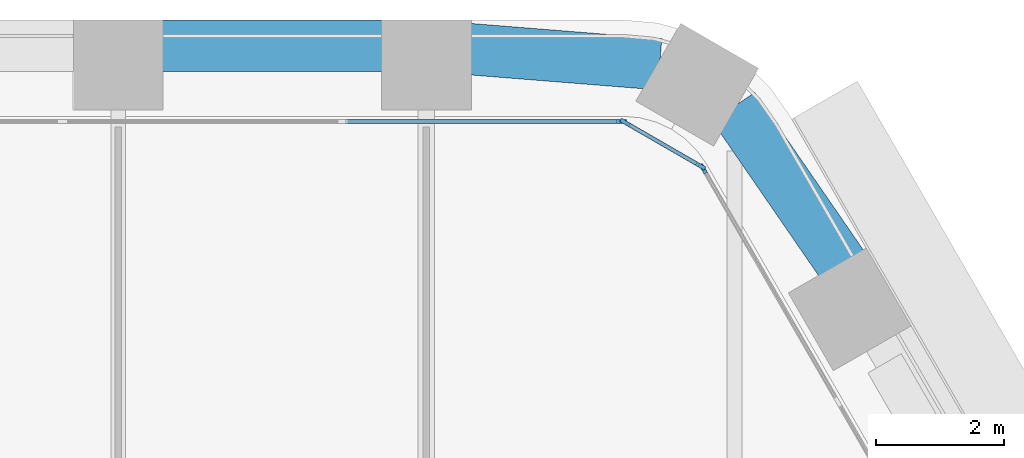
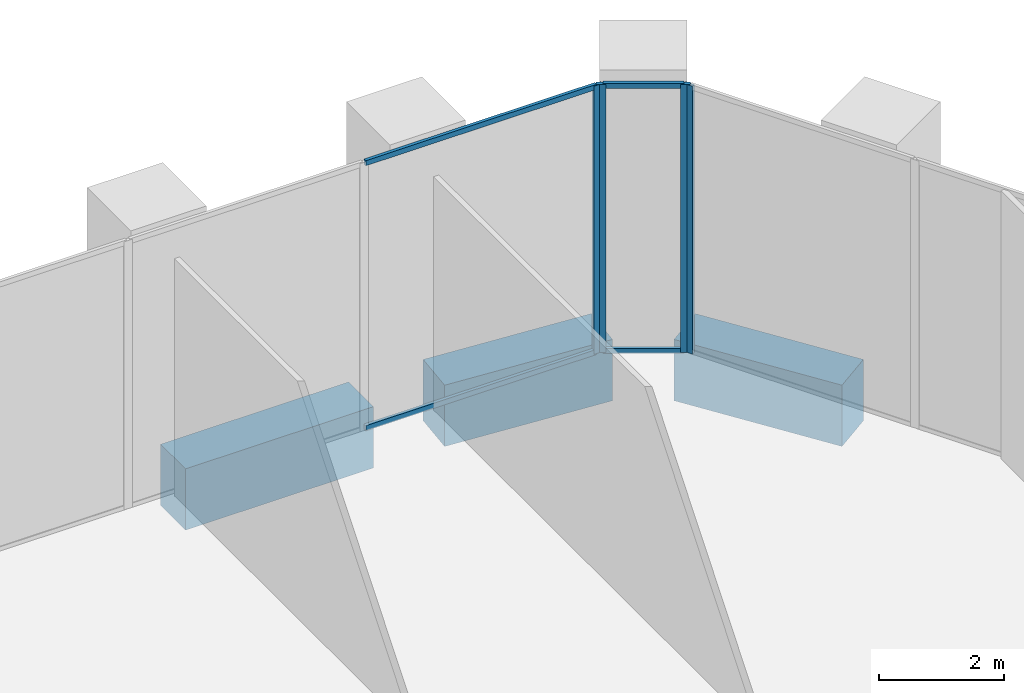
# One storey, part 14 of 27: 8 members, 3 beams, 3 elements without a shape of their own.
"""IFC4 building model written with IfcOpenShell, lengths in metres."""

from ifc_helpers import new_model, si_unit, direction, frame, origin, origin_2d, place, context, subcontext, project, spatial, rectangle, extrude, material, material_profile, profile_set, type_object, element, aggregate, save


model = new_model("IFC4")

# Units and contexts
model_context = context("Model", 3, precision=1e-05, world=origin(), true_north=direction((0.0, 1.0)))
body_context = subcontext(model_context, "Body", "Model", "MODEL_VIEW")
ifc_project = project(units=[si_unit("LENGTHUNIT", "METRE"), si_unit("AREAUNIT", "SQUARE_METRE"), si_unit("VOLUMEUNIT", "CUBIC_METRE"), si_unit("PLANEANGLEUNIT", "RADIAN"), si_unit("MASSUNIT", "GRAM", prefix="KILO")], contexts=[model_context])

# Site, building, storey
site_placement = place(None, origin())
site = spatial("IfcSite", under=ifc_project, at=site_placement, CompositionType="ELEMENT")
building_placement = place(site_placement, origin())
building = spatial("IfcBuilding", under=site, at=building_placement, Name="Kolab Exchange Tower", CompositionType="ELEMENT")
storey_placement = place(building_placement, frame((0.0, 0.0, 22.39990234375)))
storey = spatial("IfcBuildingStorey", under=building, at=storey_placement, Name="L04", CompositionType="ELEMENT", Elevation=22.39990234375)

# Beams
ifc_material_1 = material(Name="Concrete C80/95", Category="concrete")
ifc_material_profile_1 = material_profile(ifc_material_1, rectangle(XDim=0.800048828125, YDim=1.199951171875, at=origin_2d()), Name="RC800X1200")
ifc_profile_set_1 = profile_set([ifc_material_profile_1], Name="Concrete C80/95")
beam_type = type_object("IfcBeamType", Name="SPANDREL BEAM 800X1200 C80/95", PredefinedType="BEAM", material=ifc_profile_set_1)
beam_1_placement = place(storey_placement, frame((10.260009765625, 32.85546875, -0.849853515625), z_axis=(1.0, 0.0, 0.0), x_axis=(0.0, 1.0, 0.0)))
element("IfcBeam", 1, at=beam_1_placement, inside=storey, type_object=beam_type, Name="beam/L04/sp/F1-07", PredefinedType="BEAM", context=body_context, shape_type="SweptSolid", body=[
    extrude(rectangle(XDim=0.800048828125, YDim=1.199951171875, at=origin_2d()), origin(), (0.0, 0.0, 1.0), 3.47998046875),
])
beam_2_placement = place(storey_placement, frame((15.06005859375, 32.802734375, -0.849853515625), z_axis=(0.996833978278, -0.07951112973, 0.0), x_axis=(0.07951112973, 0.996833978278, 0.0)))
element("IfcBeam", 2, at=beam_2_placement, inside=storey, type_object=beam_type, Name="beam/L04/sp/F1-08", PredefinedType="BEAM", context=body_context, shape_type="SweptSolid", body=[
    extrude(rectangle(XDim=0.800048828125, YDim=1.199951171875, at=origin_2d()), origin(), (0.0, 0.0, 1.0), 2.984619140625),
])
beam_3_placement = place(storey_placement, frame((19.18505859375, 31.901611328125, -0.849853515625), z_axis=(0.567247290755, -0.823547516013, 0.0), x_axis=(0.823547516013, 0.567247290755, 0.0)))
element("IfcBeam", 3, at=beam_3_placement, inside=storey, type_object=beam_type, Name="beam/L04/sp/F2-01", PredefinedType="BEAM", context=body_context, shape_type="SweptSolid", body=[
    extrude(rectangle(XDim=0.800048828125, YDim=1.199951171875, at=origin_2d()), origin(), (0.0, 0.0, 1.0), 2.984375),
])

# Curtain wall, member
ifc_material_2 = material(Name="Aluminium EN AW-6063 T6", Category="aluminium")
curtain_wall_type = type_object("IfcCurtainWallType", Name="UNITISED LOW ZONE CURTAIN WALL", PredefinedType="NOTDEFINED", material=ifc_material_2)
curtain_wall_1_placement = place(storey_placement, origin())
curtain_wall_1 = element("IfcCurtainWall", 4, at=curtain_wall_1_placement, inside=storey, type_object=curtain_wall_type, Name="cw/L04/F1-2", PredefinedType="NOTDEFINED")
ifc_material_profile_2 = material_profile(ifc_material_2, rectangle(XDim=0.06005859375, YDim=0.159912109375, at=origin_2d()), Name="RECT 60X160")
ifc_profile_set_2 = profile_set([ifc_material_profile_2], Name="Aluminium EN AW-6063 T6")
member_type_1 = type_object("IfcMemberType", Name="UNITISED LOW ZONE MULLION 60 X 160", PredefinedType="MULLION", material=ifc_profile_set_2)
member_1_placement = place(storey_placement, frame((17.43798828125, 31.67529296875, 0.0), z_axis=(0.0, 0.0, 1.0), x_axis=(0.0, 1.0, 0.0)))
member_1 = element("IfcMember", 5, at=member_1_placement, type_object=member_type_1, Name="CW1 mullion 5", PredefinedType="MULLION", context=body_context, shape_type="SweptSolid", body=[
    extrude(rectangle(XDim=0.06005859375, YDim=0.159912109375, at=origin_2d()), origin(), (0.0, 0.0, 1.0), 5.25),
])

curtain_wall_2_placement = place(storey_placement, origin())
curtain_wall_2 = element("IfcCurtainWall", 6, at=curtain_wall_2_placement, inside=storey, type_object=curtain_wall_type, Name="cw/L04/F2-1", PredefinedType="NOTDEFINED")
member_2_placement = place(storey_placement, frame((18.712646484375, 30.939453125, 0.0), z_axis=(0.0, 0.0, 1.0), x_axis=(0.866025393644, 0.500000017564, 0.0)))
member_2 = element("IfcMember", 7, at=member_2_placement, type_object=member_type_1, Name="CW1 mullion 1", PredefinedType="MULLION", context=body_context, shape_type="SweptSolid", body=[
    extrude(rectangle(XDim=0.06005859375, YDim=0.159912109375, at=origin_2d()), origin(), (0.0, 0.0, 1.0), 5.25),
])
aggregate(curtain_wall_2, [member_2])

# Curtain wall, members
curtain_wall_3_placement = place(storey_placement, origin())
curtain_wall_3 = element("IfcCurtainWall", 8, at=curtain_wall_3_placement, inside=storey, type_object=curtain_wall_type, Name="cw/L04/F1F2-corner", PredefinedType="NOTDEFINED")
member_3_placement = place(storey_placement, frame((17.493896484375, 31.660400390625, 0.0), z_axis=(0.0, 0.0, 1.0), x_axis=(0.50000002237, 0.866025390869, 0.0)))
member_3 = element("IfcMember", 9, at=member_3_placement, type_object=member_type_1, Name="CW1 mullion 1", PredefinedType="MULLION", context=body_context, shape_type="SweptSolid", body=[
    extrude(rectangle(XDim=0.06005859375, YDim=0.159912109375, at=origin_2d()), origin(), (0.0, 0.0, 1.0), 5.25),
])
member_4_placement = place(storey_placement, frame((18.671630859375, 30.98046875, 0.0), z_axis=(0.0, 0.0, 1.0), x_axis=(0.50000002237, 0.866025390869, 0.0)))
member_4 = element("IfcMember", 10, at=member_4_placement, type_object=member_type_1, Name="CW1 mullion 2", PredefinedType="MULLION", context=body_context, shape_type="SweptSolid", body=[
    extrude(rectangle(XDim=0.06005859375, YDim=0.159912109375, at=origin_2d()), origin(), (0.0, 0.0, 1.0), 5.25),
])

# Member
ifc_material_profile_3 = material_profile(ifc_material_2, rectangle(XDim=0.06005859375, YDim=0.10009765625, at=origin_2d()), Name="RECT 60X100")
ifc_profile_set_3 = profile_set([ifc_material_profile_3], Name="Aluminium EN AW-6063 T6")
member_type_2 = type_object("IfcMemberType", Name="UNITISED LOW ZONE TRANSOM 60 X 100", PredefinedType="USERDEFINED", material=ifc_profile_set_3)
member_5_placement = place(storey_placement, frame((13.130859375, 31.67529296875, 0.030029296875), z_axis=(1.0, 0.0, 0.0), x_axis=(0.0, 1.0, 0.0)))
member_5 = element("IfcMember", 11, at=member_5_placement, type_object=member_type_2, Name="CW1 transom 4.1", ObjectType="TRANSOM", PredefinedType="USERDEFINED", context=body_context, shape_type="SweptSolid", body=[
    extrude(rectangle(XDim=0.06005859375, YDim=0.10009765625, at=origin_2d()), origin(), (0.0, 0.0, 1.0), 4.277099609375),
])

member_6_placement = place(storey_placement, frame((13.130859375, 31.67529296875, 5.22021484375), z_axis=(1.0, 0.0, 0.0), x_axis=(0.0, 1.0, 0.0)))
member_6 = element("IfcMember", 12, at=member_6_placement, type_object=member_type_2, Name="CW1 transom 4.2", ObjectType="TRANSOM", PredefinedType="USERDEFINED", context=body_context, shape_type="SweptSolid", body=[
    extrude(rectangle(XDim=0.06005859375, YDim=0.10009765625, at=origin_2d()), origin(), (0.0, 0.0, 1.0), 4.277099609375),
])

aggregate(curtain_wall_1, [member_1, member_5, member_6])

member_7_placement = place(storey_placement, frame((17.52001953125, 31.645263671875, 0.030029296875), z_axis=(0.86603858612, -0.49997716683, 0.0), x_axis=(0.49997716683, 0.86603858612, 0.0)))
member_7 = element("IfcMember", 13, at=member_7_placement, type_object=member_type_2, Name="CW1 transom 1.1", ObjectType="TRANSOM", PredefinedType="USERDEFINED", context=body_context, shape_type="SweptSolid", body=[
    extrude(rectangle(XDim=0.06005859375, YDim=0.10009765625, at=origin_2d()), origin(), (0.0, 0.0, 1.0), 1.2998046875),
])

member_8_placement = place(storey_placement, frame((17.52001953125, 31.645263671875, 5.22021484375), z_axis=(0.86603858612, -0.49997716683, 0.0), x_axis=(0.49997716683, 0.86603858612, 0.0)))
member_8 = element("IfcMember", 14, at=member_8_placement, type_object=member_type_2, Name="CW1 transom 1.2", ObjectType="TRANSOM", PredefinedType="USERDEFINED", context=body_context, shape_type="SweptSolid", body=[
    extrude(rectangle(XDim=0.06005859375, YDim=0.10009765625, at=origin_2d()), origin(), (0.0, 0.0, 1.0), 1.2998046875),
])

aggregate(curtain_wall_3, [member_3, member_4, member_7, member_8])

save(model, "model.ifc")
